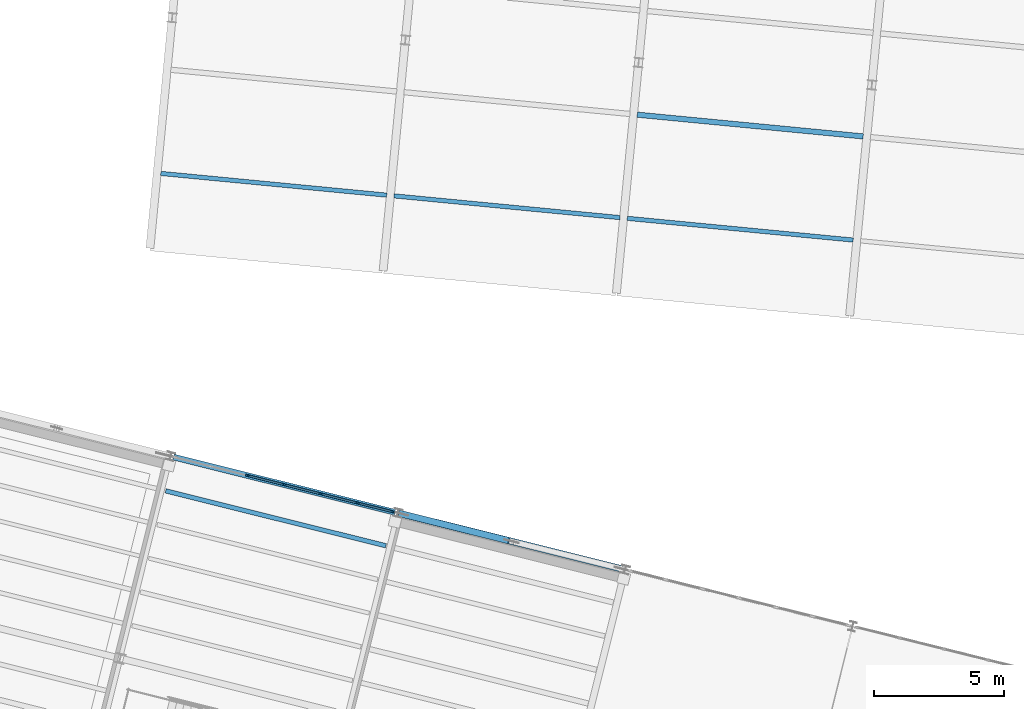
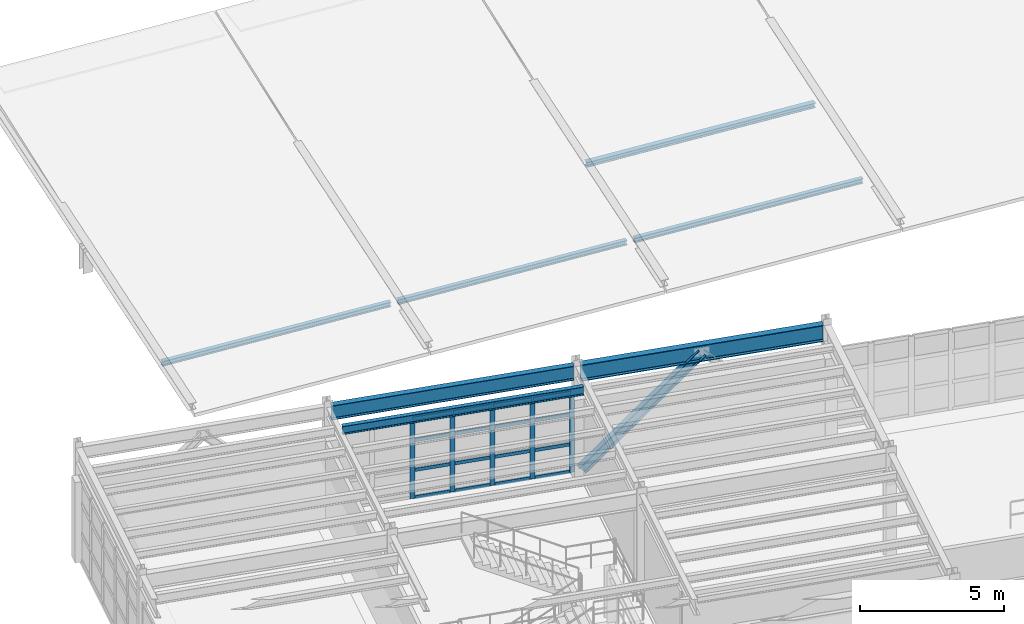
# One storey, part 20 of 59: 26 members, 3 beams, 1 element without a shape of its own.
"""IFC4 building model written with IfcOpenShell, lengths in metres."""

import ifcopenshell
import ifcopenshell.guid

model = None  # the IFC model being written
_history = None  # IfcOwnerHistory: only IFC2X3 demands one
_inside = {}  # id of a spatial element -> (the spatial element, [elements in it])
_under = {}  # id of a project, library or spatial element -> (it, [spatial elements below it])
_declared = {}  # id of a project -> (the project, [libraries it declares])
_typed = {}  # id of a type object -> (the type object, [elements of that type])
_made_of = {}  # id of a material, layer set ... -> (it, [elements and type objects made of it])


def new_model(schema):
    """Start an empty IFC model of exactly this schema.

    Asked for "IFC4X3", IfcOpenShell would pick the latest addendum, in which some entities
    have other attributes; the version numbers below select the first issue.
    IFC2X3 requires an IfcOwnerHistory on every rooted entity: one is made here for all.
    """
    global model, _history
    if schema == "IFC4X3":
        model = ifcopenshell.file(schema_version=(4, 3, 0, 0))
    else:
        model = ifcopenshell.file(schema=schema)
    _inside.clear()
    _under.clear()
    _declared.clear()
    _typed.clear()
    _made_of.clear()
    _history = None
    if model.schema == "IFC2X3":
        org = make("IfcOrganization", Name="unknown")
        user = make(
            "IfcPersonAndOrganization",
            ThePerson=make("IfcPerson", FamilyName="unknown"),
            TheOrganization=org,
        )
        app = make(
            "IfcApplication",
            ApplicationDeveloper=org,
            Version="unknown",
            ApplicationFullName="unknown",
            ApplicationIdentifier="unknown",
        )
        _history = make(
            "IfcOwnerHistory",
            OwningUser=user,
            OwningApplication=app,
            ChangeAction="ADDED",
            CreationDate=0,
        )
    return model


def make(cls, **values):
    """One entity of the class cls with the attributes given. An attribute that is None is left unset."""
    return model.create_entity(
        cls, **{name: value for name, value in values.items() if value is not None}
    )


def rooted(cls, **values):
    """An entity with a GlobalId (a new one), such as an element, a storey or a relation."""
    return make(cls, GlobalId=ifcopenshell.guid.new(), OwnerHistory=_history, **values)


def si_unit(unit_type, name, prefix=None):
    """IfcSIUnit, for example si_unit("LENGTHUNIT", "METRE", prefix="MILLI")."""
    return make("IfcSIUnit", UnitType=unit_type, Prefix=prefix, Name=name)


def assignment(units):
    """IfcUnitAssignment: the units of a project."""
    return None if units is None else make("IfcUnitAssignment", Units=units)


def point(xyz):
    """IfcCartesianPoint."""
    return None if xyz is None else make("IfcCartesianPoint", Coordinates=xyz)


def direction(xyz):
    """IfcDirection."""
    return None if xyz is None else make("IfcDirection", DirectionRatios=xyz)


def frame(location, z_axis=None, x_axis=None):
    """IfcAxis2Placement3D, a coordinate frame: its origin and axes. An axis left out is left unset."""
    return make(
        "IfcAxis2Placement3D",
        Location=point(location),
        Axis=direction(z_axis),
        RefDirection=direction(x_axis),
    )


def frame_2d(location, x_axis=None):
    """IfcAxis2Placement2D, a coordinate frame in the plane: its origin and x axis."""
    return make(
        "IfcAxis2Placement2D", Location=point(location), RefDirection=direction(x_axis)
    )


def origin():
    """The frame at (0, 0, 0) with its axes left unset."""
    return frame((0.0, 0.0, 0.0))


def origin_2d():
    """The frame at (0, 0) in the plane with its x axis left unset."""
    return frame_2d((0.0, 0.0))


def place(relative_to, where):
    """IfcLocalPlacement: puts the frame where relative to a parent placement (None: the world)."""
    return make(
        "IfcLocalPlacement", PlacementRelTo=relative_to, RelativePlacement=where
    )


def context(
    kind, dimensions, precision=None, world=None, true_north=None, identifier=None
):
    """IfcGeometricRepresentationContext, for example the 3D "Model" context."""
    return make(
        "IfcGeometricRepresentationContext",
        ContextIdentifier=identifier,
        ContextType=kind,
        CoordinateSpaceDimension=dimensions,
        Precision=precision,
        WorldCoordinateSystem=world,
        TrueNorth=true_north,
    )


def subcontext(parent, identifier, kind, view, scale=None):
    """IfcGeometricRepresentationSubContext, for example "Body" below "Model"."""
    return make(
        "IfcGeometricRepresentationSubContext",
        ContextIdentifier=identifier,
        ContextType=kind,
        ParentContext=parent,
        TargetScale=scale,
        TargetView=view,
    )


def project(units=None, contexts=None):
    """IfcProject with its units and contexts."""
    return rooted(
        "IfcProject",
        Name="project",
        RepresentationContexts=contexts,
        UnitsInContext=assignment(units),
    )


def spatial(cls, under=None, at=None, **own):
    """A site, building, storey or space (cls), placed at a placement, below another one or the project."""
    s = rooted(cls, ObjectPlacement=at, **own)
    if under is not None:
        _under.setdefault(under.id(), (under, []))[1].append(s)
    return s


def profile(cls, at=None, kind="AREA", **sizes):
    """A parametric profile (cls). Its sizes go by their IFC names, for example OverallWidth=200.0."""
    return make(cls, ProfileType=kind, Position=at, **sizes)


def rectangle(**sizes):
    """IfcRectangleProfileDef."""
    return profile("IfcRectangleProfileDef", **sizes)


def i_section(**sizes):
    """IfcIShapeProfileDef."""
    return profile("IfcIShapeProfileDef", **sizes)


def extrude(swept, where, along, depth):
    """IfcExtrudedAreaSolid: the profile swept, set in the frame where, extruded along a direction by depth."""
    return make(
        "IfcExtrudedAreaSolid",
        SweptArea=swept,
        Position=where,
        ExtrudedDirection=direction(along),
        Depth=depth,
    )


def shape(context_of_items, identifier, shape_type, items):
    """IfcShapeRepresentation: the items that make up one representation, for example the "Body"."""
    return make(
        "IfcShapeRepresentation",
        ContextOfItems=context_of_items,
        RepresentationIdentifier=identifier,
        RepresentationType=shape_type,
        Items=items,
    )


def material(Name=None, Category=None):
    """IfcMaterial."""
    return make("IfcMaterial", Name=Name, Category=Category)


def layer(
    of_material, thickness, ventilated=None, Name=None, Category=None, Priority=None
):
    """IfcMaterialLayer: one layer of a wall or slab, of a material (None: an air gap)."""
    return make(
        "IfcMaterialLayer",
        Material=of_material,
        LayerThickness=thickness,
        IsVentilated=ventilated,
        Name=Name,
        Category=Category,
        Priority=Priority,
    )


def layer_set(layers, Name=None):
    """IfcMaterialLayerSet."""
    return make("IfcMaterialLayerSet", MaterialLayers=layers, LayerSetName=Name)


def material_profile(
    of_material, cross_section, Name=None, Category=None, Priority=None
):
    """IfcMaterialProfile: a cross section and its material."""
    return make(
        "IfcMaterialProfile",
        Name=Name,
        Material=of_material,
        Profile=cross_section,
        Priority=Priority,
        Category=Category,
    )


def profile_set(profiles, Name=None, composite=None):
    """IfcMaterialProfileSet."""
    return make(
        "IfcMaterialProfileSet",
        Name=Name,
        MaterialProfiles=profiles,
        CompositeProfile=composite,
    )


def made_of(thing, what):
    """Note that an element or type object is made of a material, layer set ...; save() writes the relation."""
    if what is not None:
        _made_of.setdefault(what.id(), (what, []))[1].append(thing)
    return thing


def type_object(cls, material=None, **own):
    """A type object (cls), such as IfcWallType, which elements share."""
    return made_of(rooted(cls, **own), material)


def element(
    cls,
    number,
    at=None,
    inside=None,
    cuts=None,
    type_object=None,
    material=None,
    context=None,
    identifier="Body",
    shape_type=None,
    held_by="IfcProductDefinitionShape",
    body=None,
    shapes=None,
    **own,
):
    """One element of the class cls, such as IfcWall. Its Tag is "e" and its number.

    at: its placement. inside: the storey or other place that contains it. cuts: it is an
    opening in that element (IfcRelVoidsElement). A single representation is given by context,
    identifier, shape_type and body (its items); several are given by shapes. held_by: the class
    of the entity that holds the representations. save() writes the other relations.
    """
    e = rooted(cls, Tag="e%d" % number, ObjectPlacement=at, **own)
    if body is not None:
        shapes = [shape(context, identifier, shape_type, body)]
    if shapes is not None:
        e.Representation = make(held_by, Representations=shapes)
    if inside is not None:
        _inside.setdefault(inside.id(), (inside, []))[1].append(e)
    if cuts is not None:
        rooted(
            "IfcRelVoidsElement", RelatingBuildingElement=cuts, RelatedOpeningElement=e
        )
    if type_object is not None:
        _typed.setdefault(type_object.id(), (type_object, []))[1].append(e)
    return made_of(e, material)


def aggregate(whole, parts):
    """IfcRelAggregates: a whole, such as a stair, and the parts it consists of."""
    return rooted("IfcRelAggregates", RelatingObject=whole, RelatedObjects=parts)


def save(model, path):
    """Write the relations noted so far, then the file.

    IfcRelAggregates (storeys below a building ...), IfcRelContainedInSpatialStructure (elements
    in a storey), IfcRelDefinesByType, IfcRelAssociatesMaterial and IfcRelDeclares: one each for
    every whole, place, type object, material and project.
    """
    for whole, parts in _under.values():
        aggregate(whole, parts)
    for where, things in _inside.values():
        rooted(
            "IfcRelContainedInSpatialStructure",
            RelatedElements=things,
            RelatingStructure=where,
        )
    for kind, things in _typed.values():
        rooted("IfcRelDefinesByType", RelatedObjects=things, RelatingType=kind)
    for what, things in _made_of.values():
        rooted("IfcRelAssociatesMaterial", RelatedObjects=things, RelatingMaterial=what)
    for by, libraries in _declared.values():
        rooted("IfcRelDeclares", RelatingContext=by, RelatedDefinitions=libraries)
    model.write(path)


model = new_model("IFC4")

# Units and contexts
model_context = context("Model", 3, precision=1e-05, world=origin(), true_north=direction((0.0, 1.0)))
body_context = subcontext(model_context, "Body", "Model", "MODEL_VIEW")
ifc_project = project(units=[si_unit("LENGTHUNIT", "METRE"), si_unit("AREAUNIT", "SQUARE_METRE"), si_unit("VOLUMEUNIT", "CUBIC_METRE"), si_unit("PLANEANGLEUNIT", "RADIAN"), si_unit("MASSUNIT", "GRAM", prefix="KILO")], contexts=[model_context])

# Site, building, storey
site_placement = place(None, origin())
site = spatial("IfcSite", under=ifc_project, at=site_placement, CompositionType="ELEMENT")
building_placement = place(site_placement, origin())
building = spatial("IfcBuilding", under=site, at=building_placement, Name="Vireo Bluff Cable Station", CompositionType="ELEMENT")
storey_placement = place(building_placement, frame((0.0, 0.0, 14.39990234375)))
storey = spatial("IfcBuildingStorey", under=building, at=storey_placement, Name="L03", CompositionType="ELEMENT", Elevation=14.39990234375)

# Member
ifc_material_1 = material(Name="Steel ASTM A992 Gr. 50", Category="steel")
ifc_material_profile_1 = material_profile(ifc_material_1, i_section(OverallWidth=0.25390625, OverallDepth=0.35302734375, WebThickness=0.009521484375, FlangeThickness=0.016357421875, FilletRadius=0.011962890625, at=origin_2d()), Name="W14X61")
ifc_profile_set_1 = profile_set([ifc_material_profile_1], Name="Steel ASTM A992 Gr. 50")
member_type_1 = type_object("IfcMemberType", Name="BRC-06", PredefinedType="BRACE", material=ifc_profile_set_1)
member_1_placement = place(storey_placement, frame((77.4267578125, 56.893798828125, 0.0400390625), z_axis=(0.702063519762, -0.175068135349, 0.690259344163), x_axis=(0.241953175614, 0.970287926757, 0.0)))
element("IfcMember", 1, at=member_1_placement, inside=storey, type_object=member_type_1, Name="V1 L03 concentric brace 17L", PredefinedType="BRACE", context=body_context, shape_type="SweptSolid", body=[
    extrude(i_section(OverallWidth=0.25390625, OverallDepth=0.35302734375, WebThickness=0.009521484375, FlangeThickness=0.016357421875, FilletRadius=0.011962890625, at=origin_2d()), origin(), (0.0, 0.0, 1.0), 5.998046875),
])

# Curtain wall, members
ifc_material_2 = material(Name="Anodized Aluminium 6063-T6", Category="aluminium")
ifc_layer = layer(ifc_material_2, 0.179931640625, Name="Anodized Aluminium 6063-T6")
ifc_layer_set = layer_set([ifc_layer], Name="Anodized Aluminium 6063-T6")
curtain_wall_type = type_object("IfcCurtainWallType", Name="CW-UNIT-1400", PredefinedType="USERDEFINED", material=ifc_layer_set)
curtain_wall_placement = place(storey_placement, origin())
curtain_wall = element("IfcCurtainWall", 2, at=curtain_wall_placement, inside=storey, type_object=curtain_wall_type, Name="V1 L03 north curtain wall CW-024", ObjectType="UNITISED CURTAIN WALL", PredefinedType="USERDEFINED")
ifc_material_profile_2 = material_profile(ifc_material_2, rectangle(XDim=0.06494140625, YDim=0.179931640625, at=origin_2d()), Name="ALU-M-65X180")
ifc_profile_set_2 = profile_set([ifc_material_profile_2], Name="Anodized Aluminium 6063-T6")
member_type_2 = type_object("IfcMemberType", Name="CWM-01", PredefinedType="MULLION", material=ifc_profile_set_2)
member_2_placement = place(storey_placement, frame((71.499755859375, 58.37158203125, 0.0), z_axis=(0.0, 0.0, 1.0), x_axis=(0.241921878749, 0.970295730477, 0.0)))
member_2 = element("IfcMember", 3, at=member_2_placement, type_object=member_type_2, Name="CW-024 mullion 3", PredefinedType="MULLION", context=body_context, shape_type="SweptSolid", body=[
    extrude(rectangle(XDim=0.06494140625, YDim=0.179931640625, at=origin_2d()), origin(), (0.0, 0.0, 1.0), 3.400146484375),
])
member_3_placement = place(storey_placement, frame((72.905029296875, 58.021240234375, 0.0), z_axis=(0.0, 0.0, 1.0), x_axis=(0.241921878749, 0.970295730477, 0.0)))
member_3 = element("IfcMember", 4, at=member_3_placement, type_object=member_type_2, Name="CW-024 mullion 4", PredefinedType="MULLION", context=body_context, shape_type="SweptSolid", body=[
    extrude(rectangle(XDim=0.06494140625, YDim=0.179931640625, at=origin_2d()), origin(), (0.0, 0.0, 1.0), 3.400146484375),
])
member_4_placement = place(storey_placement, frame((74.310546875, 57.670654296875, 0.0), z_axis=(0.0, 0.0, 1.0), x_axis=(0.241921878749, 0.970295730477, 0.0)))
member_4 = element("IfcMember", 5, at=member_4_placement, type_object=member_type_2, Name="CW-024 mullion 5", PredefinedType="MULLION", context=body_context, shape_type="SweptSolid", body=[
    extrude(rectangle(XDim=0.06494140625, YDim=0.179931640625, at=origin_2d()), origin(), (0.0, 0.0, 1.0), 3.400146484375),
])
member_5_placement = place(storey_placement, frame((75.716064453125, 57.3203125, 0.0), z_axis=(0.0, 0.0, 1.0), x_axis=(0.241921878749, 0.970295730477, 0.0)))
member_5 = element("IfcMember", 6, at=member_5_placement, type_object=member_type_2, Name="CW-024 mullion 6", PredefinedType="MULLION", context=body_context, shape_type="SweptSolid", body=[
    extrude(rectangle(XDim=0.06494140625, YDim=0.179931640625, at=origin_2d()), origin(), (0.0, 0.0, 1.0), 3.400146484375),
])
member_6_placement = place(storey_placement, frame((77.090087890625, 56.977783203125, 0.0), z_axis=(0.0, 0.0, 1.0), x_axis=(0.241921878749, 0.970295730477, 0.0)))
member_6 = element("IfcMember", 7, at=member_6_placement, type_object=member_type_2, Name="CW-024 mullion 7", PredefinedType="MULLION", context=body_context, shape_type="SweptSolid", body=[
    extrude(rectangle(XDim=0.06494140625, YDim=0.179931640625, at=origin_2d()), origin(), (0.0, 0.0, 1.0), 3.400146484375),
])
ifc_material_profile_3 = material_profile(ifc_material_2, rectangle(XDim=0.06494140625, YDim=0.139892578125, at=origin_2d()), Name="ALU-T-65X140")
ifc_profile_set_3 = profile_set([ifc_material_profile_3], Name="Anodized Aluminium 6063-T6")
member_type_3 = type_object("IfcMemberType", Name="CWT-01", PredefinedType="USERDEFINED", material=ifc_profile_set_3)
member_7_placement = place(storey_placement, frame((71.53125, 58.36376953125, 0.03271484375), z_axis=(0.970287662527, -0.241954235235, 0.0), x_axis=(0.241954235235, 0.970287662527, 0.0)))
member_7 = element("IfcMember", 8, at=member_7_placement, type_object=member_type_3, Name="CW-024 transom 3.1", ObjectType="TRANSOM", PredefinedType="USERDEFINED", context=body_context, shape_type="SweptSolid", body=[
    extrude(rectangle(XDim=0.06494140625, YDim=0.139892578125, at=origin_2d()), origin(), (0.0, 0.0, 1.0), 1.38330078125),
])
member_8_placement = place(storey_placement, frame((71.53125, 58.36376953125, 1.190185546875), z_axis=(0.970287662527, -0.241954235235, 0.0), x_axis=(0.241954235235, 0.970287662527, 0.0)))
member_8 = element("IfcMember", 9, at=member_8_placement, type_object=member_type_3, Name="CW-024 transom 3.2", ObjectType="TRANSOM", PredefinedType="USERDEFINED", context=body_context, shape_type="SweptSolid", body=[
    extrude(rectangle(XDim=0.06494140625, YDim=0.139892578125, at=origin_2d()), origin(), (0.0, 0.0, 1.0), 1.38330078125),
])
member_9_placement = place(storey_placement, frame((71.53125, 58.36376953125, 2.447998046875), z_axis=(0.970287662527, -0.241954235235, 0.0), x_axis=(0.241954235235, 0.970287662527, 0.0)))
member_9 = element("IfcMember", 10, at=member_9_placement, type_object=member_type_3, Name="CW-024 transom 3.3", ObjectType="TRANSOM", PredefinedType="USERDEFINED", context=body_context, shape_type="SweptSolid", body=[
    extrude(rectangle(XDim=0.06494140625, YDim=0.139892578125, at=origin_2d()), origin(), (0.0, 0.0, 1.0), 1.38330078125),
])
member_10_placement = place(storey_placement, frame((71.53125, 58.36376953125, 3.36767578125), z_axis=(0.970287662527, -0.241954235235, 0.0), x_axis=(0.241954235235, 0.970287662527, 0.0)))
member_10 = element("IfcMember", 11, at=member_10_placement, type_object=member_type_3, Name="CW-024 transom 3.4", ObjectType="TRANSOM", PredefinedType="USERDEFINED", context=body_context, shape_type="SweptSolid", body=[
    extrude(rectangle(XDim=0.06494140625, YDim=0.139892578125, at=origin_2d()), origin(), (0.0, 0.0, 1.0), 1.38330078125),
])
member_11_placement = place(storey_placement, frame((72.936767578125, 58.01318359375, 0.03271484375), z_axis=(0.97032908146, -0.241788075955, 0.0), x_axis=(0.241788075955, 0.97032908146, 0.0)))
member_11 = element("IfcMember", 12, at=member_11_placement, type_object=member_type_3, Name="CW-024 transom 4.1", ObjectType="TRANSOM", PredefinedType="USERDEFINED", context=body_context, shape_type="SweptSolid", body=[
    extrude(rectangle(XDim=0.06494140625, YDim=0.139892578125, at=origin_2d()), origin(), (0.0, 0.0, 1.0), 1.38330078125),
])
member_12_placement = place(storey_placement, frame((72.936767578125, 58.01318359375, 1.190185546875), z_axis=(0.97032908146, -0.241788075955, 0.0), x_axis=(0.241788075955, 0.97032908146, 0.0)))
member_12 = element("IfcMember", 13, at=member_12_placement, type_object=member_type_3, Name="CW-024 transom 4.2", ObjectType="TRANSOM", PredefinedType="USERDEFINED", context=body_context, shape_type="SweptSolid", body=[
    extrude(rectangle(XDim=0.06494140625, YDim=0.139892578125, at=origin_2d()), origin(), (0.0, 0.0, 1.0), 1.38330078125),
])
member_13_placement = place(storey_placement, frame((72.936767578125, 58.01318359375, 2.447998046875), z_axis=(0.97032908146, -0.241788075955, 0.0), x_axis=(0.241788075955, 0.97032908146, 0.0)))
member_13 = element("IfcMember", 14, at=member_13_placement, type_object=member_type_3, Name="CW-024 transom 4.3", ObjectType="TRANSOM", PredefinedType="USERDEFINED", context=body_context, shape_type="SweptSolid", body=[
    extrude(rectangle(XDim=0.06494140625, YDim=0.139892578125, at=origin_2d()), origin(), (0.0, 0.0, 1.0), 1.38330078125),
])
member_14_placement = place(storey_placement, frame((72.936767578125, 58.01318359375, 3.36767578125), z_axis=(0.97032908146, -0.241788075955, 0.0), x_axis=(0.241788075955, 0.97032908146, 0.0)))
member_14 = element("IfcMember", 15, at=member_14_placement, type_object=member_type_3, Name="CW-024 transom 4.4", ObjectType="TRANSOM", PredefinedType="USERDEFINED", context=body_context, shape_type="SweptSolid", body=[
    extrude(rectangle(XDim=0.06494140625, YDim=0.139892578125, at=origin_2d()), origin(), (0.0, 0.0, 1.0), 1.38330078125),
])
member_15_placement = place(storey_placement, frame((74.342041015625, 57.662841796875, 0.03271484375), z_axis=(0.970297991346, -0.241912810718, 0.0), x_axis=(0.241912810718, 0.970297991346, 0.0)))
member_15 = element("IfcMember", 16, at=member_15_placement, type_object=member_type_3, Name="CW-024 transom 5.1", ObjectType="TRANSOM", PredefinedType="USERDEFINED", context=body_context, shape_type="SweptSolid", body=[
    extrude(rectangle(XDim=0.06494140625, YDim=0.139892578125, at=origin_2d()), origin(), (0.0, 0.0, 1.0), 1.383544921875),
])
member_16_placement = place(storey_placement, frame((74.342041015625, 57.662841796875, 1.190185546875), z_axis=(0.970297991346, -0.241912810718, 0.0), x_axis=(0.241912810718, 0.970297991346, 0.0)))
member_16 = element("IfcMember", 17, at=member_16_placement, type_object=member_type_3, Name="CW-024 transom 5.2", ObjectType="TRANSOM", PredefinedType="USERDEFINED", context=body_context, shape_type="SweptSolid", body=[
    extrude(rectangle(XDim=0.06494140625, YDim=0.139892578125, at=origin_2d()), origin(), (0.0, 0.0, 1.0), 1.383544921875),
])
member_17_placement = place(storey_placement, frame((74.342041015625, 57.662841796875, 2.447998046875), z_axis=(0.970297991346, -0.241912810718, 0.0), x_axis=(0.241912810718, 0.970297991346, 0.0)))
member_17 = element("IfcMember", 18, at=member_17_placement, type_object=member_type_3, Name="CW-024 transom 5.3", ObjectType="TRANSOM", PredefinedType="USERDEFINED", context=body_context, shape_type="SweptSolid", body=[
    extrude(rectangle(XDim=0.06494140625, YDim=0.139892578125, at=origin_2d()), origin(), (0.0, 0.0, 1.0), 1.383544921875),
])
member_18_placement = place(storey_placement, frame((74.342041015625, 57.662841796875, 3.36767578125), z_axis=(0.970297991346, -0.241912810718, 0.0), x_axis=(0.241912810718, 0.970297991346, 0.0)))
member_18 = element("IfcMember", 19, at=member_18_placement, type_object=member_type_3, Name="CW-024 transom 5.4", ObjectType="TRANSOM", PredefinedType="USERDEFINED", context=body_context, shape_type="SweptSolid", body=[
    extrude(rectangle(XDim=0.06494140625, YDim=0.139892578125, at=origin_2d()), origin(), (0.0, 0.0, 1.0), 1.383544921875),
])
member_19_placement = place(storey_placement, frame((75.74755859375, 57.3125, 0.03271484375), z_axis=(0.970280539571, -0.241982798004, 0.0), x_axis=(0.241982798004, 0.970280539571, 0.0)))
member_19 = element("IfcMember", 20, at=member_19_placement, type_object=member_type_3, Name="CW-024 transom 6.1", ObjectType="TRANSOM", PredefinedType="USERDEFINED", context=body_context, shape_type="SweptSolid", body=[
    extrude(rectangle(XDim=0.06494140625, YDim=0.139892578125, at=origin_2d()), origin(), (0.0, 0.0, 1.0), 1.350830078125),
])
member_20_placement = place(storey_placement, frame((75.74755859375, 57.3125, 1.190185546875), z_axis=(0.970280539571, -0.241982798004, 0.0), x_axis=(0.241982798004, 0.970280539571, 0.0)))
member_20 = element("IfcMember", 21, at=member_20_placement, type_object=member_type_3, Name="CW-024 transom 6.2", ObjectType="TRANSOM", PredefinedType="USERDEFINED", context=body_context, shape_type="SweptSolid", body=[
    extrude(rectangle(XDim=0.06494140625, YDim=0.139892578125, at=origin_2d()), origin(), (0.0, 0.0, 1.0), 1.350830078125),
])
member_21_placement = place(storey_placement, frame((75.74755859375, 57.3125, 2.447998046875), z_axis=(0.970280539571, -0.241982798004, 0.0), x_axis=(0.241982798004, 0.970280539571, 0.0)))
member_21 = element("IfcMember", 22, at=member_21_placement, type_object=member_type_3, Name="CW-024 transom 6.3", ObjectType="TRANSOM", PredefinedType="USERDEFINED", context=body_context, shape_type="SweptSolid", body=[
    extrude(rectangle(XDim=0.06494140625, YDim=0.139892578125, at=origin_2d()), origin(), (0.0, 0.0, 1.0), 1.350830078125),
])
member_22_placement = place(storey_placement, frame((75.74755859375, 57.3125, 3.36767578125), z_axis=(0.970280539571, -0.241982798004, 0.0), x_axis=(0.241982798004, 0.970280539571, 0.0)))
member_22 = element("IfcMember", 23, at=member_22_placement, type_object=member_type_3, Name="CW-024 transom 6.4", ObjectType="TRANSOM", PredefinedType="USERDEFINED", context=body_context, shape_type="SweptSolid", body=[
    extrude(rectangle(XDim=0.06494140625, YDim=0.139892578125, at=origin_2d()), origin(), (0.0, 0.0, 1.0), 1.350830078125),
])
aggregate(curtain_wall, [member_2, member_3, member_4, member_5, member_6, member_7, member_8, member_9, member_10, member_11, member_12, member_13, member_14, member_15, member_16, member_17, member_18, member_19, member_20, member_21, member_22])

# Beam
ifc_material_profile_4 = material_profile(ifc_material_1, i_section(OverallWidth=0.1708984375, OverallDepth=0.35107421875, WebThickness=0.0068359375, FlangeThickness=0.009765625, FilletRadius=0.010009765625, at=origin_2d()), Name="W14X30")
ifc_profile_set_4 = profile_set([ifc_material_profile_4], Name="Steel ASTM A992 Gr. 50")
beam_type_1 = type_object("IfcBeamType", Name="JST-W14X30", PredefinedType="JOIST", material=ifc_profile_set_4)
beam_1_placement = place(storey_placement, frame((68.35205078125, 57.7822265625, 4.364501953125), z_axis=(0.970293828661, -0.24192950639, 0.0), x_axis=(0.24192950639, 0.970293828661, 0.0)))
element("IfcBeam", 24, at=beam_1_placement, inside=storey, type_object=beam_type_1, Name="V1 L03 composite joist 317", PredefinedType="JOIST", context=body_context, shape_type="SweptSolid", body=[
    extrude(i_section(OverallWidth=0.1708984375, OverallDepth=0.35107421875, WebThickness=0.0068359375, FlangeThickness=0.009765625, FilletRadius=0.010009765625, at=origin_2d()), origin(), (0.0, 0.0, 1.0), 8.719970703125),
])

# Members
ifc_material_profile_5 = material_profile(ifc_material_1, i_section(OverallWidth=0.166015625, OverallDepth=0.205078125, WebThickness=0.007080078125, FlangeThickness=0.01171875, FilletRadius=0.008056640625, at=origin_2d()), Name="W8X28")
ifc_profile_set_5 = profile_set([ifc_material_profile_5], Name="Steel ASTM A992 Gr. 50")
member_type_4 = type_object("IfcMemberType", Name="PUR-02", PredefinedType="PURLIN", material=ifc_profile_set_5)
member_23_placement = place(storey_placement, frame((68.1650390625, 69.9765625, -0.14990234375), z_axis=(0.995396914857, -0.095838311194, 0.0), x_axis=(0.095838311194, 0.995396914857, 0.0)))
element("IfcMember", 25, at=member_23_placement, inside=storey, type_object=member_type_4, Name="V3 wing roof purlin 1.32", PredefinedType="PURLIN", context=body_context, shape_type="SweptSolid", body=[
    extrude(i_section(OverallWidth=0.166015625, OverallDepth=0.205078125, WebThickness=0.007080078125, FlangeThickness=0.01171875, FilletRadius=0.008056640625, at=origin_2d()), origin(), (0.0, 0.0, 1.0), 8.7197265625),
])
for number, where, z_axis, x_axis, name in (
    (26, (77.12353515625, 69.114013671875, -0.14990234375), (0.995397172011, -0.095835640306, 0.0), (0.095835640306, 0.995397172011, 0.0), "V3 wing roof purlin 2.32"),
    (27, (86.08203125, 68.25146484375, -0.14990234375), (0.995397172011, -0.095835640306, 0.0), (0.095835640306, 0.995397172011, 0.0), "V3 wing roof purlin 3.32"),
):
    element("IfcMember", number, at=place(storey_placement, frame(where, z_axis=z_axis, x_axis=x_axis)), inside=storey, type_object=member_type_4, Name=name, PredefinedType="PURLIN", context=body_context, shape_type="SweptSolid", body=[
        extrude(i_section(OverallWidth=0.166015625, OverallDepth=0.205078125, WebThickness=0.007080078125, FlangeThickness=0.01171875, FilletRadius=0.008056640625, at=origin_2d()), origin(), (0.0, 0.0, 1.0), 8.719970703125),
    ])
ifc_material_profile_6 = material_profile(ifc_material_1, i_section(OverallWidth=0.2041015625, OverallDepth=0.2060546875, WebThickness=0.0078125, FlangeThickness=0.0126953125, FilletRadius=0.008056640625, at=origin_2d()), Name="W8X35")
ifc_profile_set_6 = profile_set([ifc_material_profile_6], Name="Steel ASTM A992 Gr. 50")
member_type_5 = type_object("IfcMemberType", Name="PUR-03", PredefinedType="PURLIN", material=ifc_profile_set_6)
member_24_placement = place(storey_placement, frame((86.465576171875, 72.23291015625, 0.516845703125), z_axis=(0.995396914857, -0.095838311194, 0.0), x_axis=(0.095838311194, 0.995396914857, 0.0)))
element("IfcMember", 28, at=member_24_placement, inside=storey, type_object=member_type_5, Name="V3 wing roof purlin 3.36", PredefinedType="PURLIN", context=body_context, shape_type="SweptSolid", body=[
    extrude(i_section(OverallWidth=0.2041015625, OverallDepth=0.2060546875, WebThickness=0.0078125, FlangeThickness=0.0126953125, FilletRadius=0.008056640625, at=origin_2d()), origin(), (0.0, 0.0, 1.0), 8.7197265625),
])

# Beams
ifc_material_profile_7 = material_profile(ifc_material_1, i_section(OverallWidth=0.22802734375, OverallDepth=0.60693359375, WebThickness=0.01123046875, FlangeThickness=0.017333984375, FilletRadius=0.012939453125, at=origin_2d()), Name="W24X76")
ifc_profile_set_7 = profile_set([ifc_material_profile_7], Name="Steel ASTM A992 Gr. 50")
beam_type_2 = type_object("IfcBeamType", Name="SPN-W24X76", PredefinedType="SPANDREL", material=ifc_profile_set_7)
beam_2_placement = place(storey_placement, frame((68.6552734375, 59.080810546875, 4.236572265625), z_axis=(0.970291502693, -0.241938834838, 0.0), x_axis=(0.241938834838, 0.970291502693, 0.0)))
element("IfcBeam", 29, at=beam_2_placement, inside=storey, type_object=beam_type_2, Name="V1 L03 spandrel 282", PredefinedType="SPANDREL", context=body_context, shape_type="SweptSolid", body=[
    extrude(i_section(OverallWidth=0.22802734375, OverallDepth=0.60693359375, WebThickness=0.01123046875, FlangeThickness=0.017333984375, FilletRadius=0.012939453125, at=origin_2d()), origin(), (0.0, 0.0, 1.0), 8.760009765625),
])
ifc_material_profile_8 = material_profile(ifc_material_1, i_section(OverallWidth=0.257080078125, OverallDepth=0.693115234375, WebThickness=0.014404296875, FlangeThickness=0.023681640625, FilletRadius=0.014892578125, at=origin_2d()), Name="W27X114")
ifc_profile_set_8 = profile_set([ifc_material_profile_8], Name="Steel ASTM A992 Gr. 50")
beam_type_3 = type_object("IfcBeamType", Name="SPN-W27X114", PredefinedType="SPANDREL", material=ifc_profile_set_8)
beam_3_placement = place(storey_placement, frame((77.387939453125, 56.903564453125, 4.193603515625), z_axis=(0.970291502693, -0.241938834838, 0.0), x_axis=(0.241938834838, 0.970291502693, 0.0)))
element("IfcBeam", 30, at=beam_3_placement, inside=storey, type_object=beam_type_3, Name="V1 L03 spandrel 283", PredefinedType="SPANDREL", context=body_context, shape_type="SweptSolid", body=[
    extrude(i_section(OverallWidth=0.257080078125, OverallDepth=0.693115234375, WebThickness=0.014404296875, FlangeThickness=0.023681640625, FilletRadius=0.014892578125, at=origin_2d()), origin(), (0.0, 0.0, 1.0), 8.760009765625),
])

save(model, "model.ifc")
